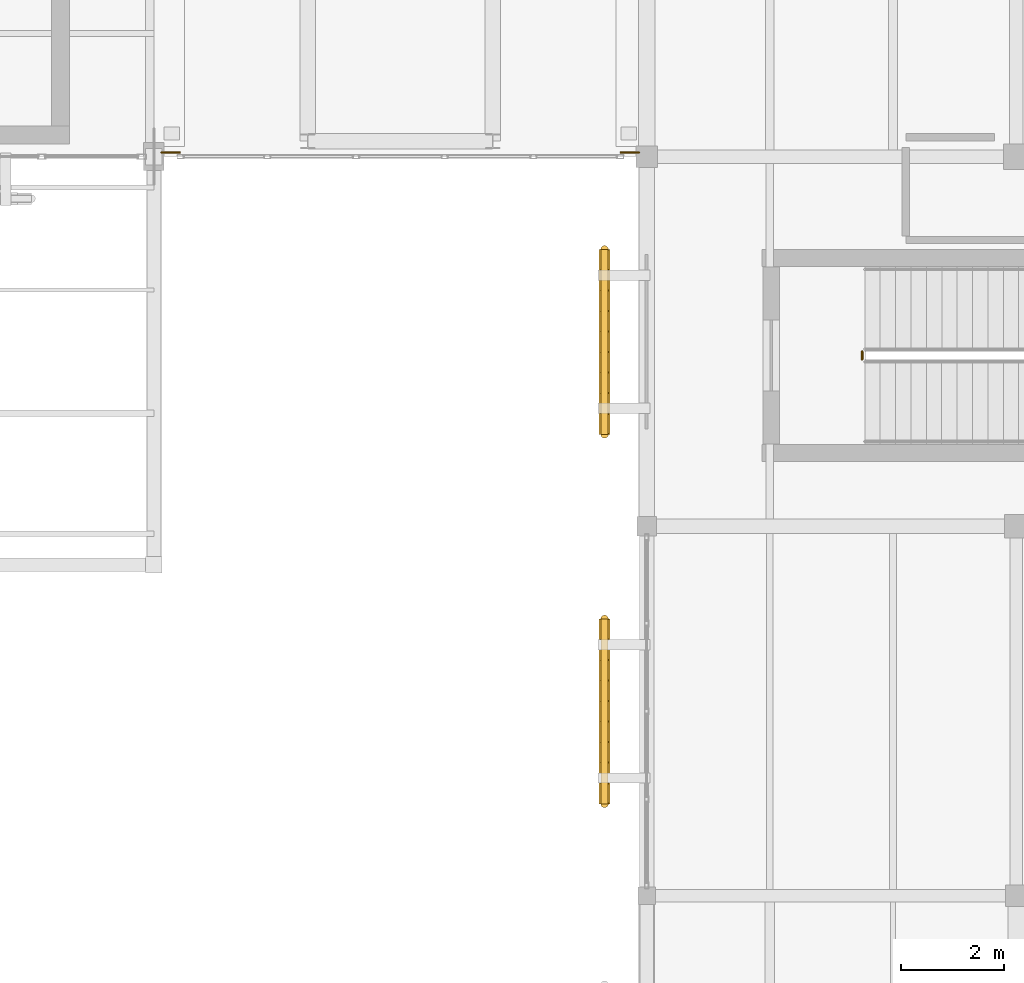
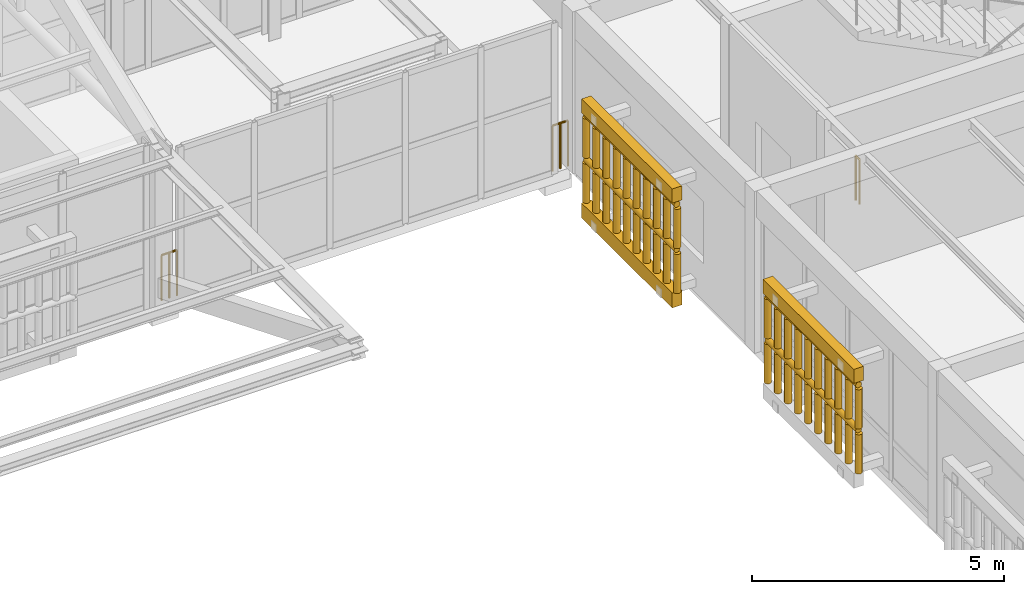
# One storey, part 208 of 217: 7 railings, 3 coverings.
"""IFC4 building model written with IfcOpenShell, lengths in metres."""

from ifc_helpers import new_model, si_unit, direction, frame, origin, origin_2d, place, context, subcontext, project, spatial, polyline, circle, outline, extrude, material, layer, layer_set, type_object, element, save


model = new_model("IFC4")

# Units and contexts
model_context = context("Model", 3, precision=1e-05, world=origin(), true_north=direction((0.0, 1.0)))
body_context = subcontext(model_context, "Body", "Model", "MODEL_VIEW")
ifc_project = project(units=[si_unit("LENGTHUNIT", "METRE"), si_unit("AREAUNIT", "SQUARE_METRE"), si_unit("VOLUMEUNIT", "CUBIC_METRE"), si_unit("PLANEANGLEUNIT", "RADIAN"), si_unit("MASSUNIT", "GRAM", prefix="KILO")], contexts=[model_context])

# Site, building, storey
site_placement = place(None, origin())
site = spatial("IfcSite", under=ifc_project, at=site_placement, CompositionType="ELEMENT")
building_placement = place(site_placement, origin())
building = spatial("IfcBuilding", under=site, at=building_placement, Name="Mazaris Harbour Polytechnic", CompositionType="ELEMENT")
storey_placement = place(building_placement, frame((0.0, 0.0, 9.60009765625)))
storey = spatial("IfcBuildingStorey", under=building, at=storey_placement, Name="L02", CompositionType="ELEMENT", Elevation=9.60009765625)

# Railings
ifc_material_1 = material(Name="Steel S355", Category="steel")
railing_type_1 = type_object("IfcRailingType", Name="Mezzanine Steel Guardrail 1100 Exterior", PredefinedType="GUARDRAIL", material=ifc_material_1)
for number, where, name in (
    (1, (112.949951171875, 75.679931640625, 0.0), "PB-E2 L02 Bridge End Guard W0"),
    (2, (121.89990234375, 75.679931640625, 0.0), "PB-E2 L02 Bridge End Guard E0"),
):
    element("IfcRailing", number, at=place(storey_placement, frame(where)), inside=storey, type_object=railing_type_1, Name=name, PredefinedType="GUARDRAIL", context=body_context, shape_type="SweptSolid", body=[
        extrude(circle(Radius=0.02392578125, at=origin_2d()), frame((0.0, 0.0, 1.09619140625), z_axis=(1.0, 0.0, 0.0), x_axis=(0.0, 1.0, 0.0)), (0.0, 0.0, 1.0), 0.35009765625),
        extrude(circle(Radius=0.02099609375, at=origin_2d()), origin(), (0.0, 0.0, 1.0), 1.072021484375),
        extrude(circle(Radius=0.02099609375, at=origin_2d()), frame((0.175048828125, 0.0, 0.0)), (0.0, 0.0, 1.0), 1.072021484375),
        extrude(circle(Radius=0.02099609375, at=origin_2d()), frame((0.35009765625, 0.0, 0.0)), (0.0, 0.0, 1.0), 1.072021484375),
    ])
ifc_material_2 = material(Name="Perforated Earth-Coloured Terracotta Block", Category="masonry")
railing_type_2 = type_object("IfcRailingType", Name="Perforated Earth-Block Claustra Lattice 1040", PredefinedType="BALUSTRADE", material=ifc_material_2)
for number, where, name in (
    (3, (121.580078125, 62.989990234375, 0.52001953125), "V5 L02 Lower Perforated Terracotta Block Screen 421"),
    (4, (121.580078125, 62.989990234375, 1.60986328125), "V5 L02 Upper Perforated Terracotta Block Screen 421"),
    (5, (121.580078125, 70.18994140625, 0.52001953125), "V5 L02 Lower Perforated Terracotta Block Screen 422"),
    (6, (121.580078125, 70.18994140625, 1.60986328125), "V5 L02 Upper Perforated Terracotta Block Screen 422"),
):
    element("IfcRailing", number, at=place(storey_placement, frame(where)), inside=storey, type_object=railing_type_2, Name=name, PredefinedType="BALUSTRADE", context=body_context, shape_type="SweptSolid", body=[
        extrude(circle(Radius=0.06982421875, at=origin_2d()), frame((0.0, 0.0, 1.02001953125), z_axis=(0.0, 1.0, 0.0), x_axis=(-1.0, 0.0, 0.0)), (0.0, 0.0, 1.0), 3.60009765625),
        extrude(circle(Radius=0.074951171875, at=origin_2d()), origin(), (0.0, 0.0, 1.0), 0.9501953125),
        extrude(circle(Radius=0.074951171875, at=origin_2d()), frame((0.0, 0.39990234375, 0.0)), (0.0, 0.0, 1.0), 0.9501953125),
        extrude(circle(Radius=0.074951171875, at=origin_2d()), frame((0.0, 0.800048828125, 0.0)), (0.0, 0.0, 1.0), 0.9501953125),
        extrude(circle(Radius=0.074951171875, at=origin_2d()), frame((0.0, 1.199951171875, 0.0)), (0.0, 0.0, 1.0), 0.9501953125),
        extrude(circle(Radius=0.074951171875, at=origin_2d()), frame((0.0, 1.60009765625, 0.0)), (0.0, 0.0, 1.0), 0.9501953125),
        extrude(circle(Radius=0.074951171875, at=origin_2d()), frame((0.0, 2.0, 0.0)), (0.0, 0.0, 1.0), 0.9501953125),
        extrude(circle(Radius=0.074951171875, at=origin_2d()), frame((0.0, 2.400146484375, 0.0)), (0.0, 0.0, 1.0), 0.9501953125),
        extrude(circle(Radius=0.074951171875, at=origin_2d()), frame((0.0, 2.800048828125, 0.0)), (0.0, 0.0, 1.0), 0.9501953125),
        extrude(circle(Radius=0.074951171875, at=origin_2d()), frame((0.0, 3.2001953125, 0.0)), (0.0, 0.0, 1.0), 0.9501953125),
        extrude(circle(Radius=0.074951171875, at=origin_2d()), frame((0.0, 3.60009765625, 0.0)), (0.0, 0.0, 1.0), 0.9501953125),
    ])
ifc_material_3 = material(Name="Steel S355", Category="steel")
railing_type_3 = type_object("IfcRailingType", Name="Stair Well Guardrail 1100", PredefinedType="GUARDRAIL", material=ifc_material_3)
railing_placement = place(storey_placement, frame((126.60009765625, 71.64990234375, 0.0)))
element("IfcRailing", 7, at=railing_placement, inside=storey, type_object=railing_type_3, Name="L02 ST09 stair guard 4", PredefinedType="GUARDRAIL", context=body_context, shape_type="SweptSolid", body=[
    extrude(circle(Radius=0.02392578125, at=origin_2d()), frame((0.0, 0.0, 1.076171875), z_axis=(0.0, 1.0, 0.0), x_axis=(-1.0, 0.0, 0.0)), (0.0, 0.0, 1.0), 0.150146484375),
    extrude(circle(Radius=0.02099609375, at=origin_2d()), origin(), (0.0, 0.0, 1.0), 1.052001953125),
    extrude(circle(Radius=0.02099609375, at=origin_2d()), frame((0.0, 0.150146484375, 0.0)), (0.0, 0.0, 1.0), 1.052001953125),
])

# Coverings
ifc_material_4 = material(Name="Perforated Earth-Coloured Terracotta Block", Category="masonry")
ifc_layer = layer(ifc_material_4, 0.219970703125, Name="Perforated Earth-Coloured Terracotta Block")
ifc_layer_set = layer_set([ifc_layer], Name="Perforated Earth-Coloured Terracotta Block")
covering_type = type_object("IfcCoveringType", Name="Terracotta Screen Course Cladding 220", PredefinedType="CLADDING", material=ifc_layer_set)
covering_1_placement = place(storey_placement, frame((0.0, 0.0, 2.699951171875)))
element("IfcCovering", 8, at=covering_1_placement, inside=storey, type_object=covering_type, Name="V5 L02 Perforated Screen Lintel Course 421", PredefinedType="CLADDING", context=body_context, shape_type="SweptSolid", body=[
    extrude(outline(polyline([(121.68994140625, 62.989990234375), (121.68994140625, 66.590087890625), (121.469970703125, 66.590087890625), (121.469970703125, 62.989990234375), (121.68994140625, 62.989990234375)])), origin(), (0.0, 0.0, 1.0), 0.33984375),
])
covering_2_placement = place(storey_placement, frame((0.0, 0.0, 0.159912109375)))
element("IfcCovering", 9, at=covering_2_placement, inside=storey, type_object=covering_type, Name="V5 L02 Perforated Screen Sill Course 422", PredefinedType="CLADDING", context=body_context, shape_type="SweptSolid", body=[
    extrude(outline(polyline([(121.68994140625, 70.18994140625), (121.68994140625, 73.7900390625), (121.469970703125, 73.7900390625), (121.469970703125, 70.18994140625), (121.68994140625, 70.18994140625)])), origin(), (0.0, 0.0, 1.0), 0.360107421875),
])
covering_3_placement = place(storey_placement, frame((0.0, 0.0, 2.699951171875)))
element("IfcCovering", 10, at=covering_3_placement, inside=storey, type_object=covering_type, Name="V5 L02 Perforated Screen Lintel Course 422", PredefinedType="CLADDING", context=body_context, shape_type="SweptSolid", body=[
    extrude(outline(polyline([(121.68994140625, 70.18994140625), (121.68994140625, 73.7900390625), (121.469970703125, 73.7900390625), (121.469970703125, 70.18994140625), (121.68994140625, 70.18994140625)])), origin(), (0.0, 0.0, 1.0), 0.33984375),
])

save(model, "model.ifc")
